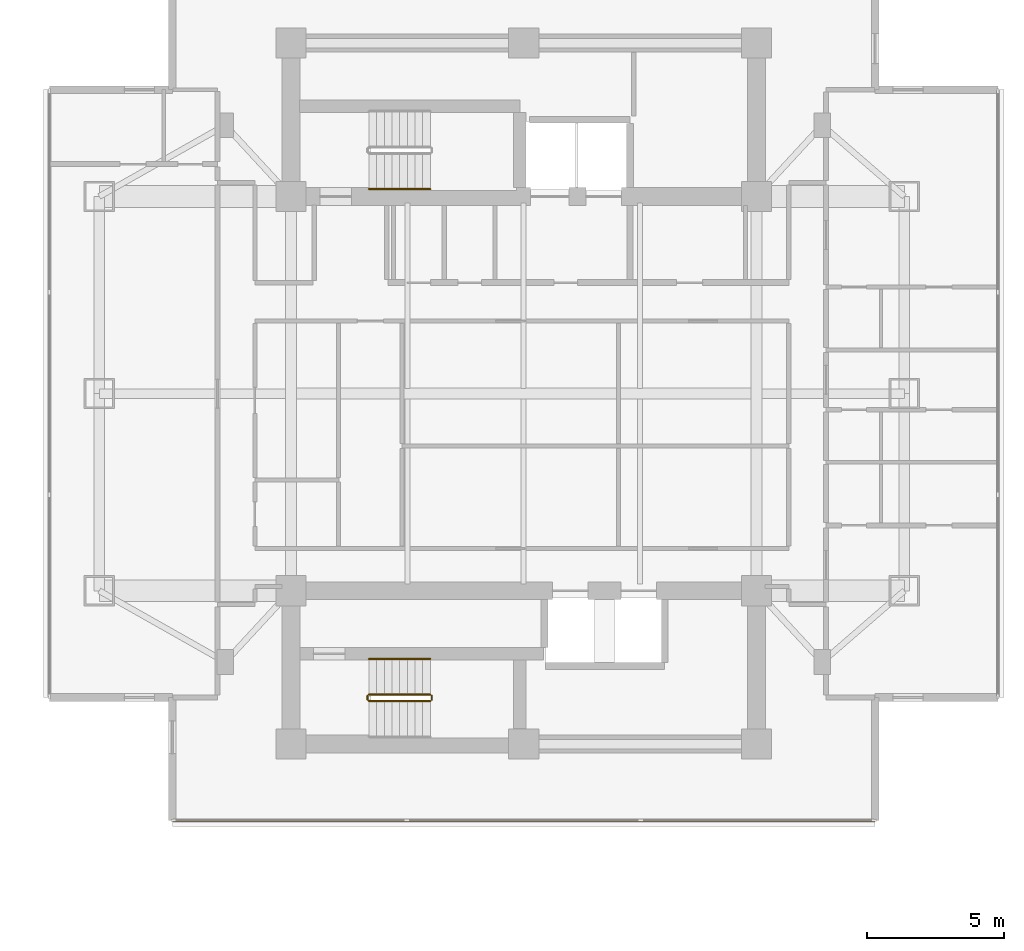
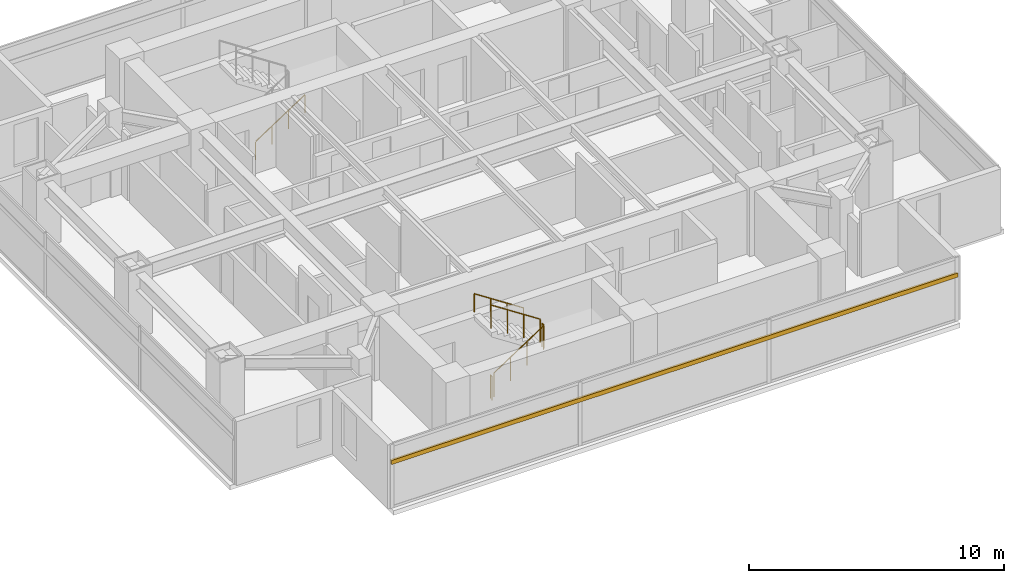
# One storey, part 25 of 27: 6 railings, 1 shading device.
"""IFC4 building model written with IfcOpenShell, lengths in metres."""

import ifcopenshell
import ifcopenshell.guid

model = None  # the IFC model being written
_history = None  # IfcOwnerHistory: only IFC2X3 demands one
_inside = {}  # id of a spatial element -> (the spatial element, [elements in it])
_under = {}  # id of a project, library or spatial element -> (it, [spatial elements below it])
_declared = {}  # id of a project -> (the project, [libraries it declares])
_typed = {}  # id of a type object -> (the type object, [elements of that type])
_made_of = {}  # id of a material, layer set ... -> (it, [elements and type objects made of it])


def new_model(schema):
    """Start an empty IFC model of exactly this schema.

    Asked for "IFC4X3", IfcOpenShell would pick the latest addendum, in which some entities
    have other attributes; the version numbers below select the first issue.
    IFC2X3 requires an IfcOwnerHistory on every rooted entity: one is made here for all.
    """
    global model, _history
    if schema == "IFC4X3":
        model = ifcopenshell.file(schema_version=(4, 3, 0, 0))
    else:
        model = ifcopenshell.file(schema=schema)
    _inside.clear()
    _under.clear()
    _declared.clear()
    _typed.clear()
    _made_of.clear()
    _history = None
    if model.schema == "IFC2X3":
        org = make("IfcOrganization", Name="unknown")
        user = make(
            "IfcPersonAndOrganization",
            ThePerson=make("IfcPerson", FamilyName="unknown"),
            TheOrganization=org,
        )
        app = make(
            "IfcApplication",
            ApplicationDeveloper=org,
            Version="unknown",
            ApplicationFullName="unknown",
            ApplicationIdentifier="unknown",
        )
        _history = make(
            "IfcOwnerHistory",
            OwningUser=user,
            OwningApplication=app,
            ChangeAction="ADDED",
            CreationDate=0,
        )
    return model


def make(cls, **values):
    """One entity of the class cls with the attributes given. An attribute that is None is left unset."""
    return model.create_entity(
        cls, **{name: value for name, value in values.items() if value is not None}
    )


def rooted(cls, **values):
    """An entity with a GlobalId (a new one), such as an element, a storey or a relation."""
    return make(cls, GlobalId=ifcopenshell.guid.new(), OwnerHistory=_history, **values)


def si_unit(unit_type, name, prefix=None):
    """IfcSIUnit, for example si_unit("LENGTHUNIT", "METRE", prefix="MILLI")."""
    return make("IfcSIUnit", UnitType=unit_type, Prefix=prefix, Name=name)


def assignment(units):
    """IfcUnitAssignment: the units of a project."""
    return None if units is None else make("IfcUnitAssignment", Units=units)


def point(xyz):
    """IfcCartesianPoint."""
    return None if xyz is None else make("IfcCartesianPoint", Coordinates=xyz)


def direction(xyz):
    """IfcDirection."""
    return None if xyz is None else make("IfcDirection", DirectionRatios=xyz)


def frame(location, z_axis=None, x_axis=None):
    """IfcAxis2Placement3D, a coordinate frame: its origin and axes. An axis left out is left unset."""
    return make(
        "IfcAxis2Placement3D",
        Location=point(location),
        Axis=direction(z_axis),
        RefDirection=direction(x_axis),
    )


def frame_2d(location, x_axis=None):
    """IfcAxis2Placement2D, a coordinate frame in the plane: its origin and x axis."""
    return make(
        "IfcAxis2Placement2D", Location=point(location), RefDirection=direction(x_axis)
    )


def origin():
    """The frame at (0, 0, 0) with its axes left unset."""
    return frame((0.0, 0.0, 0.0))


def origin_2d():
    """The frame at (0, 0) in the plane with its x axis left unset."""
    return frame_2d((0.0, 0.0))


def place(relative_to, where):
    """IfcLocalPlacement: puts the frame where relative to a parent placement (None: the world)."""
    return make(
        "IfcLocalPlacement", PlacementRelTo=relative_to, RelativePlacement=where
    )


def context(
    kind, dimensions, precision=None, world=None, true_north=None, identifier=None
):
    """IfcGeometricRepresentationContext, for example the 3D "Model" context."""
    return make(
        "IfcGeometricRepresentationContext",
        ContextIdentifier=identifier,
        ContextType=kind,
        CoordinateSpaceDimension=dimensions,
        Precision=precision,
        WorldCoordinateSystem=world,
        TrueNorth=true_north,
    )


def subcontext(parent, identifier, kind, view, scale=None):
    """IfcGeometricRepresentationSubContext, for example "Body" below "Model"."""
    return make(
        "IfcGeometricRepresentationSubContext",
        ContextIdentifier=identifier,
        ContextType=kind,
        ParentContext=parent,
        TargetScale=scale,
        TargetView=view,
    )


def project(units=None, contexts=None):
    """IfcProject with its units and contexts."""
    return rooted(
        "IfcProject",
        Name="project",
        RepresentationContexts=contexts,
        UnitsInContext=assignment(units),
    )


def spatial(cls, under=None, at=None, **own):
    """A site, building, storey or space (cls), placed at a placement, below another one or the project."""
    s = rooted(cls, ObjectPlacement=at, **own)
    if under is not None:
        _under.setdefault(under.id(), (under, []))[1].append(s)
    return s


def profile(cls, at=None, kind="AREA", **sizes):
    """A parametric profile (cls). Its sizes go by their IFC names, for example OverallWidth=200.0."""
    return make(cls, ProfileType=kind, Position=at, **sizes)


def rectangle(**sizes):
    """IfcRectangleProfileDef."""
    return profile("IfcRectangleProfileDef", **sizes)


def circle(**sizes):
    """IfcCircleProfileDef."""
    return profile("IfcCircleProfileDef", **sizes)


def extrude(swept, where, along, depth):
    """IfcExtrudedAreaSolid: the profile swept, set in the frame where, extruded along a direction by depth."""
    return make(
        "IfcExtrudedAreaSolid",
        SweptArea=swept,
        Position=where,
        ExtrudedDirection=direction(along),
        Depth=depth,
    )


def shape(context_of_items, identifier, shape_type, items):
    """IfcShapeRepresentation: the items that make up one representation, for example the "Body"."""
    return make(
        "IfcShapeRepresentation",
        ContextOfItems=context_of_items,
        RepresentationIdentifier=identifier,
        RepresentationType=shape_type,
        Items=items,
    )


def material(Name=None, Category=None):
    """IfcMaterial."""
    return make("IfcMaterial", Name=Name, Category=Category)


def material_profile(
    of_material, cross_section, Name=None, Category=None, Priority=None
):
    """IfcMaterialProfile: a cross section and its material."""
    return make(
        "IfcMaterialProfile",
        Name=Name,
        Material=of_material,
        Profile=cross_section,
        Priority=Priority,
        Category=Category,
    )


def profile_set(profiles, Name=None, composite=None):
    """IfcMaterialProfileSet."""
    return make(
        "IfcMaterialProfileSet",
        Name=Name,
        MaterialProfiles=profiles,
        CompositeProfile=composite,
    )


def made_of(thing, what):
    """Note that an element or type object is made of a material, layer set ...; save() writes the relation."""
    if what is not None:
        _made_of.setdefault(what.id(), (what, []))[1].append(thing)
    return thing


def type_object(cls, material=None, **own):
    """A type object (cls), such as IfcWallType, which elements share."""
    return made_of(rooted(cls, **own), material)


def element(
    cls,
    number,
    at=None,
    inside=None,
    cuts=None,
    type_object=None,
    material=None,
    context=None,
    identifier="Body",
    shape_type=None,
    held_by="IfcProductDefinitionShape",
    body=None,
    shapes=None,
    **own,
):
    """One element of the class cls, such as IfcWall. Its Tag is "e" and its number.

    at: its placement. inside: the storey or other place that contains it. cuts: it is an
    opening in that element (IfcRelVoidsElement). A single representation is given by context,
    identifier, shape_type and body (its items); several are given by shapes. held_by: the class
    of the entity that holds the representations. save() writes the other relations.
    """
    e = rooted(cls, Tag="e%d" % number, ObjectPlacement=at, **own)
    if body is not None:
        shapes = [shape(context, identifier, shape_type, body)]
    if shapes is not None:
        e.Representation = make(held_by, Representations=shapes)
    if inside is not None:
        _inside.setdefault(inside.id(), (inside, []))[1].append(e)
    if cuts is not None:
        rooted(
            "IfcRelVoidsElement", RelatingBuildingElement=cuts, RelatedOpeningElement=e
        )
    if type_object is not None:
        _typed.setdefault(type_object.id(), (type_object, []))[1].append(e)
    return made_of(e, material)


def aggregate(whole, parts):
    """IfcRelAggregates: a whole, such as a stair, and the parts it consists of."""
    return rooted("IfcRelAggregates", RelatingObject=whole, RelatedObjects=parts)


def save(model, path):
    """Write the relations noted so far, then the file.

    IfcRelAggregates (storeys below a building ...), IfcRelContainedInSpatialStructure (elements
    in a storey), IfcRelDefinesByType, IfcRelAssociatesMaterial and IfcRelDeclares: one each for
    every whole, place, type object, material and project.
    """
    for whole, parts in _under.values():
        aggregate(whole, parts)
    for where, things in _inside.values():
        rooted(
            "IfcRelContainedInSpatialStructure",
            RelatedElements=things,
            RelatingStructure=where,
        )
    for kind, things in _typed.values():
        rooted("IfcRelDefinesByType", RelatedObjects=things, RelatingType=kind)
    for what, things in _made_of.values():
        rooted("IfcRelAssociatesMaterial", RelatedObjects=things, RelatingMaterial=what)
    for by, libraries in _declared.values():
        rooted("IfcRelDeclares", RelatingContext=by, RelatedDefinitions=libraries)
    model.write(path)


model = new_model("IFC4")

# Units and contexts
model_context = context("Model", 3, precision=1e-05, world=origin(), true_north=direction((0.0, 1.0)))
body_context = subcontext(model_context, "Body", "Model", "MODEL_VIEW")
ifc_project = project(units=[si_unit("LENGTHUNIT", "METRE"), si_unit("AREAUNIT", "SQUARE_METRE"), si_unit("VOLUMEUNIT", "CUBIC_METRE"), si_unit("PLANEANGLEUNIT", "RADIAN"), si_unit("MASSUNIT", "GRAM", prefix="KILO")], contexts=[model_context])

# Site, building, storey
site_placement = place(None, origin())
site = spatial("IfcSite", under=ifc_project, at=site_placement, CompositionType="ELEMENT")
building_placement = place(site_placement, origin())
building = spatial("IfcBuilding", under=site, at=building_placement, Name="Mirazonda Arch Towers", CompositionType="ELEMENT")
storey_placement = place(building_placement, frame((0.0, 0.0, 124.699951171875)))
storey = spatial("IfcBuildingStorey", under=building, at=storey_placement, Name="L35", CompositionType="ELEMENT", Elevation=124.699951171875)

# Shading device
ifc_material_1 = material(Name="Kiln-Fired Architectural Terracotta", Category="masonry")
ifc_material_profile = material_profile(ifc_material_1, rectangle(XDim=0.10009765625, YDim=0.199951171875, at=origin_2d()), Name="TERRA-BAG-100x200")
ifc_profile_set = profile_set([ifc_material_profile], Name="Kiln-Fired Architectural Terracotta")
shading_device_type = type_object("IfcShadingDeviceType", Name="BAGUETTE-2", PredefinedType="USERDEFINED", material=ifc_profile_set)
shading_device_placement = place(storey_placement, frame((89.33447265625, 12.414306640625, 2.203369140625), z_axis=(-1.0, 0.0, 0.0), x_axis=(0.0, -1.0, 0.0)))
element("IfcShadingDevice", 1, at=shading_device_placement, inside=storey, type_object=shading_device_type, Name="L35 Glazed Terracotta Sun-Screen Baguette CW-L35-T2-S", ObjectType="BAGUETTE", PredefinedType="USERDEFINED", context=body_context, shape_type="SweptSolid", body=[
    extrude(rectangle(XDim=0.10009765625, YDim=0.199951171875, at=origin_2d()), origin(), (0.0, 0.0, 1.0), 25.6689453125),
])

# Railings
ifc_material_2 = material(Name="Architectural Brushed Steel S355", Category="steel")
railing_type_1 = type_object("IfcRailingType", Name="GUARD-STAIR-1120", PredefinedType="GUARDRAIL", material=ifc_material_2)
railing_1_placement = place(storey_placement, frame((70.85009765625, 16.77001953125, 0.183349609375)))
element("IfcRailing", 2, at=railing_1_placement, inside=storey, type_object=railing_type_1, Name="L35 ST-T2S stair guard 1", PredefinedType="GUARDRAIL", context=body_context, shape_type="SweptSolid", body=[
    extrude(circle(Radius=0.02392578125, at=origin_2d()), frame((0.0, 0.0, 1.1259765625), z_axis=(0.836595146698, 0.0, 0.547821650285), x_axis=(0.0, 1.0, 0.0)), (0.0, 0.0, 1.0), 2.677490234375),
    extrude(circle(Radius=0.02099609375, at=origin_2d()), origin(), (0.0, 0.0, 1.0), 1.101806640625),
    extrude(circle(Radius=0.02099609375, at=origin_2d()), frame((0.74658203125, 0.0, 0.489013671875)), (0.0, 0.0, 1.0), 1.101806640625),
    extrude(circle(Radius=0.02099609375, at=origin_2d()), frame((1.493408203125, 0.0, 0.977783203125)), (0.0, 0.0, 1.0), 1.101806640625),
    extrude(circle(Radius=0.02099609375, at=origin_2d()), frame((2.239990234375, 0.0, 1.466796875)), (0.0, 0.0, 1.0), 1.101806640625),
])
railing_2_placement = place(storey_placement, frame((73.139892578125, 16.820068359375, 1.650146484375)))
element("IfcRailing", 3, at=railing_2_placement, inside=storey, type_object=railing_type_1, Name="L35 ST-T2S stair guard 2", PredefinedType="GUARDRAIL", context=body_context, shape_type="SweptSolid", body=[
    extrude(circle(Radius=0.02392578125, at=origin_2d()), frame((0.0, 0.0, 1.1259765625), z_axis=(0.0, 1.0, 0.0), x_axis=(-1.0, 0.0, 0.0)), (0.0, 0.0, 1.0), 0.139892578125),
    extrude(circle(Radius=0.02099609375, at=origin_2d()), origin(), (0.0, 0.0, 1.0), 1.101806640625),
    extrude(circle(Radius=0.02099609375, at=origin_2d()), frame((0.0, 0.139892578125, 0.0)), (0.0, 0.0, 1.0), 1.101806640625),
])
railing_3_placement = place(storey_placement, frame((73.090087890625, 17.010009765625, 1.83349609375)))
element("IfcRailing", 4, at=railing_3_placement, inside=storey, type_object=railing_type_1, Name="L35 ST-T2S stair guard 3", PredefinedType="GUARDRAIL", context=body_context, shape_type="SweptSolid", body=[
    extrude(circle(Radius=0.02392578125, at=origin_2d()), frame((0.0, 0.0, 1.1259765625), z_axis=(-0.836636935527, 0.0, 0.547757827979), x_axis=(0.0, -1.0, 0.0)), (0.0, 0.0, 1.0), 2.677490234375),
    extrude(circle(Radius=0.02099609375, at=origin_2d()), origin(), (0.0, 0.0, 1.0), 1.101806640625),
    extrude(circle(Radius=0.02099609375, at=origin_2d()), frame((-0.74658203125, 0.0, 0.48876953125)), (0.0, 0.0, 1.0), 1.101806640625),
    extrude(circle(Radius=0.02099609375, at=origin_2d()), frame((-1.493408203125, 0.0, 0.977783203125)), (0.0, 0.0, 1.0), 1.101806640625),
    extrude(circle(Radius=0.02099609375, at=origin_2d()), frame((-2.239990234375, 0.0, 1.466552734375)), (0.0, 0.0, 1.0), 1.101806640625),
])
railing_4_placement = place(storey_placement, frame((70.800048828125, 16.820068359375, 0.0)))
element("IfcRailing", 5, at=railing_4_placement, inside=storey, type_object=railing_type_1, Name="L35 ST-T2S stair guard 4", PredefinedType="GUARDRAIL", context=body_context, shape_type="SweptSolid", body=[
    extrude(circle(Radius=0.02392578125, at=origin_2d()), frame((0.0, 0.0, 1.1259765625), z_axis=(0.0, 1.0, 0.0), x_axis=(-1.0, 0.0, 0.0)), (0.0, 0.0, 1.0), 0.139892578125),
    extrude(circle(Radius=0.02099609375, at=origin_2d()), origin(), (0.0, 0.0, 1.0), 1.101806640625),
    extrude(circle(Radius=0.02099609375, at=origin_2d()), frame((0.0, 0.139892578125, 0.0)), (0.0, 0.0, 1.0), 1.101806640625),
])
railing_type_2 = type_object("IfcRailingType", Name="HANDRAIL-915", PredefinedType="HANDRAIL", material=ifc_material_2)
railing_5_placement = place(storey_placement, frame((70.85009765625, 35.469970703125, 0.183349609375)))
element("IfcRailing", 6, at=railing_5_placement, inside=storey, type_object=railing_type_2, Name="L35 ST-T2N stair handrail 1", PredefinedType="HANDRAIL", context=body_context, shape_type="SweptSolid", body=[
    extrude(circle(Radius=0.02392578125, at=origin_2d()), frame((0.0, 0.0, 0.8759765625), z_axis=(0.836595146698, 0.0, 0.547821650285), x_axis=(0.0, 1.0, 0.0)), (0.0, 0.0, 1.0), 2.677490234375),
    extrude(circle(Radius=0.02099609375, at=origin_2d()), origin(), (0.0, 0.0, 1.0), 0.851806640625),
    extrude(circle(Radius=0.02099609375, at=origin_2d()), frame((0.74658203125, 0.0, 0.489013671875)), (0.0, 0.0, 1.0), 0.851806640625),
    extrude(circle(Radius=0.02099609375, at=origin_2d()), frame((1.493408203125, 0.0, 0.977783203125)), (0.0, 0.0, 1.0), 0.851806640625),
    extrude(circle(Radius=0.02099609375, at=origin_2d()), frame((2.239990234375, 0.0, 1.466796875)), (0.0, 0.0, 1.0), 0.851806640625),
])
railing_6_placement = place(storey_placement, frame((73.090087890625, 18.31005859375, 1.83349609375)))
element("IfcRailing", 7, at=railing_6_placement, inside=storey, type_object=railing_type_2, Name="L35 ST-T2S stair handrail 2", PredefinedType="HANDRAIL", context=body_context, shape_type="SweptSolid", body=[
    extrude(circle(Radius=0.02392578125, at=origin_2d()), frame((0.0, 0.0, 0.8759765625), z_axis=(-0.836636935527, 0.0, 0.547757827979), x_axis=(0.0, -1.0, 0.0)), (0.0, 0.0, 1.0), 2.677490234375),
    extrude(circle(Radius=0.02099609375, at=origin_2d()), origin(), (0.0, 0.0, 1.0), 0.851806640625),
    extrude(circle(Radius=0.02099609375, at=origin_2d()), frame((-0.74658203125, 0.0, 0.48876953125)), (0.0, 0.0, 1.0), 0.851806640625),
    extrude(circle(Radius=0.02099609375, at=origin_2d()), frame((-1.493408203125, 0.0, 0.977783203125)), (0.0, 0.0, 1.0), 0.851806640625),
    extrude(circle(Radius=0.02099609375, at=origin_2d()), frame((-2.239990234375, 0.0, 1.466552734375)), (0.0, 0.0, 1.0), 0.851806640625),
])

save(model, "model.ifc")
